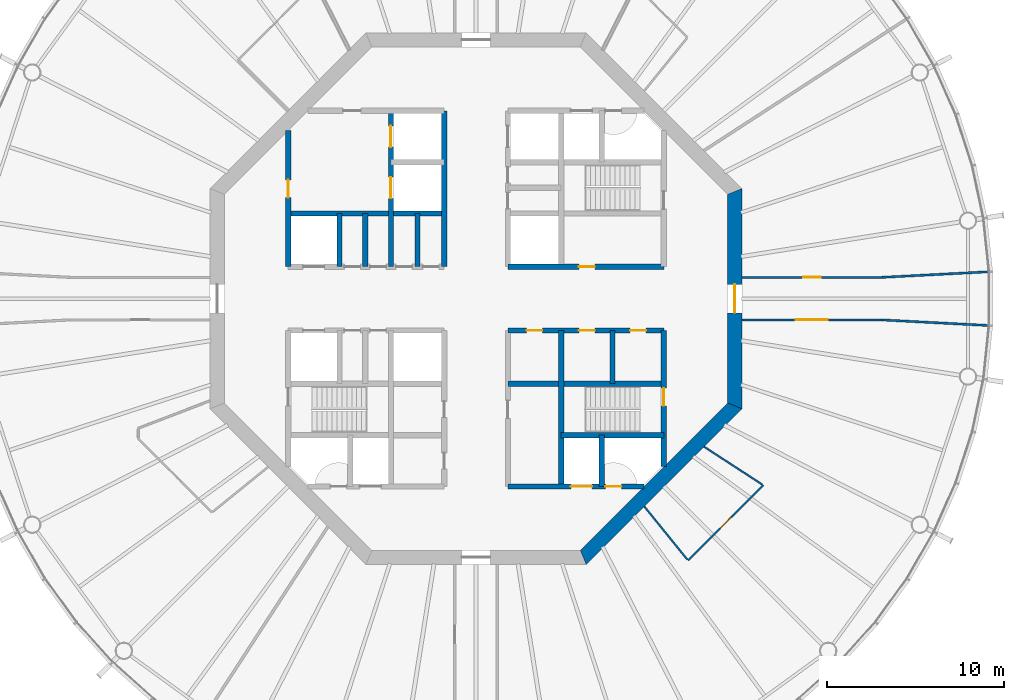
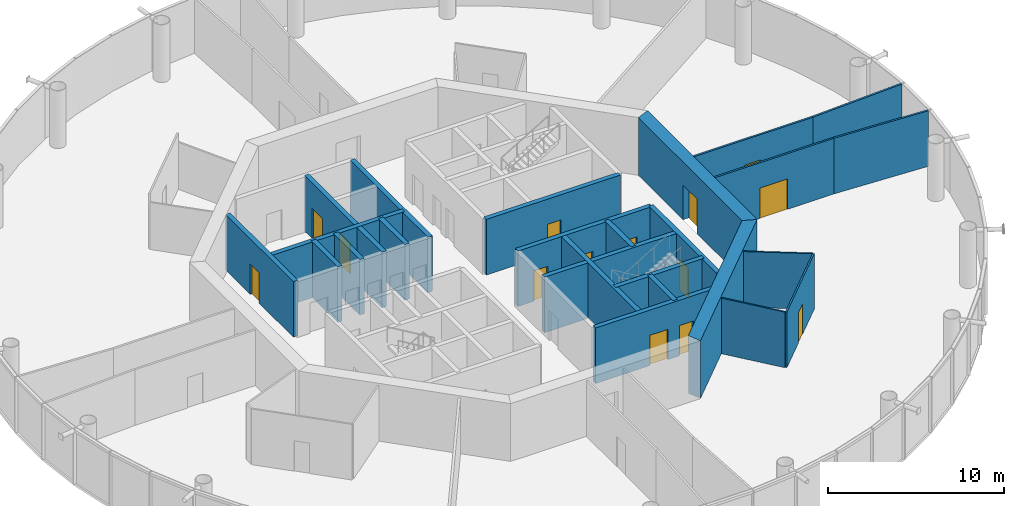
# One storey, part 4 of 17: 25 walls, 14 doors, 14 openings.
"""IFC4 building model written with IfcOpenShell, lengths in metres."""

from ifc_helpers import new_model, si_unit, direction, frame, frame_2d, origin, place, context, subcontext, project, spatial, polyline, rectangle, outline, extrude, material, layer, layer_set, type_object, element, fill, save


model = new_model("IFC4")

# Units and contexts
model_context = context("Model", 3, precision=1e-05, world=origin(), true_north=direction((0.0, 1.0)))
body_context = subcontext(model_context, "Body", "Model", "MODEL_VIEW")
ifc_project = project(units=[si_unit("LENGTHUNIT", "METRE"), si_unit("AREAUNIT", "SQUARE_METRE"), si_unit("VOLUMEUNIT", "CUBIC_METRE"), si_unit("PLANEANGLEUNIT", "RADIAN"), si_unit("MASSUNIT", "GRAM", prefix="KILO")], contexts=[model_context])

# Site, building, storey
site_placement = place(None, origin())
site = spatial("IfcSite", under=ifc_project, at=site_placement, CompositionType="ELEMENT")
building_placement = place(site_placement, origin())
building = spatial("IfcBuilding", under=site, at=building_placement, Name="Entoto Ring Tower", CompositionType="ELEMENT")
storey_placement = place(building_placement, frame((0.0, 0.0, 306.0)))
storey = spatial("IfcBuildingStorey", under=building, at=storey_placement, Name="L70", CompositionType="ELEMENT", Elevation=306.0)

# Wall, opening, door
ifc_material_1 = material(Name="Concrete C40/50", Category="concrete")
ifc_layer_1 = layer(ifc_material_1, 0.300048828125)
ifc_layer_set_1 = layer_set([ifc_layer_1], Name="Concrete C40/50")
wall_type_1 = type_object("IfcWallType", Name="Core enclosure wall 300 mm reinforced concrete", PredefinedType="SOLIDWALL", material=ifc_layer_set_1)
wall_1_placement = place(storey_placement, frame((100.60009765625, 70.518310546875, 0.0), z_axis=(0.0, 0.0, 1.0), x_axis=(0.0, 1.0, 0.0)))
wall_1 = element("IfcWall", 1, at=wall_1_placement, inside=storey, type_object=wall_type_1, Name="wall-L70-001", PredefinedType="SOLIDWALL", context=body_context, shape_type="SweptSolid", body=[
    extrude(rectangle(XDim=7.681640625, YDim=0.300048828125, at=frame_2d((3.8408203125, 0.0))), origin(), (0.0, 0.0, 1.0), 3.85009765625),
])
opening_1_placement = place(wall_1_placement, frame((3.431884765625, 0.0, 0.0)))
opening_1 = element("IfcOpeningElement", 2, at=opening_1_placement, cuts=wall_1, Name="Opening K-28", PredefinedType="OPENING", context=body_context, shape_type="SweptSolid", body=[
    extrude(rectangle(XDim=1.0, YDim=2.10009765625, at=frame_2d((0.5, 1.050048828125))), frame((0.0, 0.16015625, 0.0), z_axis=(0.0, -1.0, 0.0), x_axis=(1.0, 0.0, 0.0)), (0.0, 0.0, 1.0), 0.320068359375),
])
ifc_material_2 = material(Name="Steel door leaf, fire rated", Category="steel")
ifc_layer_2 = layer(ifc_material_2, 0.050048828125)
ifc_layer_set_2 = layer_set([ifc_layer_2], Name="Steel door leaf, fire rated")
door_type_1 = type_object("IfcDoorType", Name="Fire door FD60 1000 x 2100 single leaf", OperationType="NOTDEFINED", PredefinedType="DOOR", material=ifc_layer_set_2)
door_1_placement = place(opening_1_placement, origin())
door_1 = element("IfcDoor", 3, at=door_1_placement, inside=storey, type_object=door_type_1, Name="Door K-28", OperationType="SINGLE_SWING_RIGHT", OverallHeight=2.10009765625, OverallWidth=1.0, PredefinedType="DOOR", context=body_context, shape_type="SweptSolid", body=[
    extrude(rectangle(XDim=1.0, YDim=2.10009765625, at=frame_2d((0.5, 1.050048828125))), frame((0.0, 0.02490234375, 0.0), z_axis=(0.0, -1.0, 0.0), x_axis=(1.0, 0.0, 0.0)), (0.0, 0.0, 1.0), 0.050048828125),
])
fill(opening_1, door_1)

# Walls
wall_2_placement = place(storey_placement, frame((97.699951171875, 75.199951171875, 0.0), z_axis=(0.0, 0.0, 1.0), x_axis=(0.0, 1.0, 0.0)))
element("IfcWall", 4, at=wall_2_placement, inside=storey, type_object=wall_type_1, Name="wall-L70-003", PredefinedType="SOLIDWALL", context=body_context, shape_type="SweptSolid", body=[
    extrude(rectangle(XDim=3.0, YDim=0.300048828125, at=frame_2d((1.5, 0.0))), origin(), (0.0, 0.0, 1.0), 3.85009765625),
])
wall_3_placement = place(storey_placement, frame((97.10009765625, 69.39990234375, 0.0), z_axis=(0.0, 0.0, 1.0), x_axis=(0.0, 1.0, 0.0)))
element("IfcWall", 5, at=wall_3_placement, inside=storey, type_object=wall_type_1, Name="wall-L70-004", PredefinedType="SOLIDWALL", context=body_context, shape_type="SweptSolid", body=[
    extrude(rectangle(XDim=2.900146484375, YDim=0.300048828125, at=frame_2d((1.4501953125, 0.0))), origin(), (0.0, 0.0, 1.0), 3.85009765625),
])
for number, where, z_axis, x_axis, name in (
    (6, (94.800048828125, 69.39990234375, 0.0), (0.0, 0.0, 1.0), (0.0, 1.0, 0.0), "wall-L70-006"),
    (7, (88.199951171875, 81.800048828125, 0.0), (0.0, 0.0, 1.0), (0.0, 1.0, 0.0), "wall-L70-011"),
):
    element("IfcWall", number, at=place(storey_placement, frame(where, z_axis=z_axis, x_axis=x_axis)), inside=storey, type_object=wall_type_1, Name=name, PredefinedType="SOLIDWALL", context=body_context, shape_type="SweptSolid", body=[
        extrude(rectangle(XDim=8.800048828125, YDim=0.300048828125, at=frame_2d((4.39990234375, 0.0))), origin(), (0.0, 0.0, 1.0), 3.85009765625),
    ])
wall_4_placement = place(storey_placement, frame((86.699951171875, 81.800048828125, 0.0), z_axis=(0.0, 0.0, 1.0), x_axis=(0.0, 1.0, 0.0)))
element("IfcWall", 8, at=wall_4_placement, inside=storey, type_object=wall_type_1, Name="wall-L70-012", PredefinedType="SOLIDWALL", context=body_context, shape_type="SweptSolid", body=[
    extrude(rectangle(XDim=3.0, YDim=0.300048828125, at=frame_2d((1.5, 0.0))), origin(), (0.0, 0.0, 1.0), 3.85009765625),
])

# Wall, openings, doors
wall_5_placement = place(storey_placement, frame((85.199951171875, 81.800048828125, 0.0), z_axis=(0.0, 0.0, 1.0), x_axis=(0.0, 1.0, 0.0)))
wall_5 = element("IfcWall", 9, at=wall_5_placement, inside=storey, type_object=wall_type_1, Name="wall-L70-014", PredefinedType="SOLIDWALL", context=body_context, shape_type="SweptSolid", body=[
    extrude(rectangle(XDim=8.800048828125, YDim=0.300048828125, at=frame_2d((4.39990234375, 0.0))), origin(), (0.0, 0.0, 1.0), 3.85009765625),
])
opening_2_placement = place(wall_5_placement, frame((3.85009765625, 0.0, 0.0)))
opening_2 = element("IfcOpeningElement", 10, at=opening_2_placement, cuts=wall_5, Name="Opening LD", PredefinedType="OPENING", context=body_context, shape_type="SweptSolid", body=[
    extrude(rectangle(XDim=1.199951171875, YDim=2.10009765625, at=frame_2d((0.60009765625, 1.050048828125))), frame((0.0, 0.16015625, 0.0), z_axis=(0.0, -1.0, 0.0), x_axis=(1.0, 0.0, 0.0)), (0.0, 0.0, 1.0), 0.320068359375),
])
opening_3_placement = place(wall_5_placement, frame((6.75, 0.0, 0.0)))
opening_3 = element("IfcOpeningElement", 11, at=opening_3_placement, cuts=wall_5, Name="Opening LD", PredefinedType="OPENING", context=body_context, shape_type="SweptSolid", body=[
    extrude(rectangle(XDim=1.199951171875, YDim=2.10009765625, at=frame_2d((0.60009765625, 1.050048828125))), frame((0.0, 0.16015625, 0.0), z_axis=(0.0, -1.0, 0.0), x_axis=(1.0, 0.0, 0.0)), (0.0, 0.0, 1.0), 0.320068359375),
])
ifc_material_3 = material(Name="Steel and glass door leaf", Category="steel")
ifc_layer_3 = layer(ifc_material_3, 0.050048828125)
ifc_layer_set_3 = layer_set([ifc_layer_3], Name="Steel and glass door leaf")
door_type_2 = type_object("IfcDoorType", Name="Landing door 1200 x 2100 sliding", OperationType="DOUBLE_DOOR_SLIDING", PredefinedType="DOOR", material=ifc_layer_set_3)
door_2_placement = place(opening_2_placement, origin())
door_2 = element("IfcDoor", 12, at=door_2_placement, inside=storey, type_object=door_type_2, Name="Landing door FF1", OperationType="SLIDING_TO_RIGHT", OverallHeight=2.10009765625, OverallWidth=1.199951171875, PredefinedType="DOOR", context=body_context, shape_type="SweptSolid", body=[
    extrude(rectangle(XDim=1.199951171875, YDim=2.10009765625, at=frame_2d((0.60009765625, 1.050048828125))), frame((0.0, 0.02490234375, 0.0), z_axis=(0.0, -1.0, 0.0), x_axis=(1.0, 0.0, 0.0)), (0.0, 0.0, 1.0), 0.050048828125),
])
fill(opening_2, door_2)
door_3_placement = place(opening_3_placement, origin())
door_3 = element("IfcDoor", 13, at=door_3_placement, inside=storey, type_object=door_type_2, Name="Landing door FF2", OperationType="SLIDING_TO_RIGHT", OverallHeight=2.10009765625, OverallWidth=1.199951171875, PredefinedType="DOOR", context=body_context, shape_type="SweptSolid", body=[
    extrude(rectangle(XDim=1.199951171875, YDim=2.10009765625, at=frame_2d((0.60009765625, 1.050048828125))), frame((0.0, 0.02490234375, 0.0), z_axis=(0.0, -1.0, 0.0), x_axis=(1.0, 0.0, 0.0)), (0.0, 0.0, 1.0), 0.050048828125),
])
fill(opening_3, door_3)

# Walls
for number, where, z_axis, x_axis, name in (
    (14, (83.75, 81.800048828125, 0.0), (0.0, 0.0, 1.0), (0.0, 1.0, 0.0), "wall-L70-016"),
    (15, (82.300048828125, 81.800048828125, 0.0), (0.0, 0.0, 1.0), (0.0, 1.0, 0.0), "wall-L70-019"),
):
    element("IfcWall", number, at=place(storey_placement, frame(where, z_axis=z_axis, x_axis=x_axis)), inside=storey, type_object=wall_type_1, Name=name, PredefinedType="SOLIDWALL", context=body_context, shape_type="SweptSolid", body=[
        extrude(rectangle(XDim=3.0, YDim=0.300048828125, at=frame_2d((1.5, 0.0))), origin(), (0.0, 0.0, 1.0), 3.85009765625),
    ])

# Wall, opening, door
wall_6_placement = place(storey_placement, frame((79.39990234375, 81.800048828125, 0.0), z_axis=(0.0, 0.0, 1.0), x_axis=(0.0, 1.0, 0.0)))
wall_6 = element("IfcWall", 16, at=wall_6_placement, inside=storey, type_object=wall_type_1, Name="wall-L70-021", PredefinedType="SOLIDWALL", context=body_context, shape_type="SweptSolid", body=[
    extrude(rectangle(XDim=7.681640625, YDim=0.300048828125, at=frame_2d((3.8408203125, 0.0))), origin(), (0.0, 0.0, 1.0), 3.85009765625),
])
opening_4_placement = place(wall_6_placement, frame((3.89990234375, 0.0, 0.0)))
opening_4 = element("IfcOpeningElement", 17, at=opening_4_placement, cuts=wall_6, Name="Opening K-86", PredefinedType="OPENING", context=body_context, shape_type="SweptSolid", body=[
    extrude(rectangle(XDim=1.0, YDim=2.10009765625, at=frame_2d((0.5, 1.050048828125))), frame((0.0, 0.16015625, 0.0), z_axis=(0.0, -1.0, 0.0), x_axis=(1.0, 0.0, 0.0)), (0.0, 0.0, 1.0), 0.320068359375),
])
door_4_placement = place(opening_4_placement, frame((1.0, 0.0, 0.0), z_axis=(0.0, 0.0, 1.0), x_axis=(-1.0, 0.0, 0.0)))
door_4 = element("IfcDoor", 18, at=door_4_placement, inside=storey, type_object=door_type_1, Name="Door K-86", OperationType="SINGLE_SWING_RIGHT", OverallHeight=2.10009765625, OverallWidth=1.0, PredefinedType="DOOR", context=body_context, shape_type="SweptSolid", body=[
    extrude(rectangle(XDim=1.0, YDim=2.10009765625, at=frame_2d((0.5, 1.050048828125))), frame((0.0, 0.02490234375, 0.0), z_axis=(0.0, -1.0, 0.0), x_axis=(1.0, 0.0, 0.0)), (0.0, 0.0, 1.0), 0.050048828125),
])
fill(opening_4, door_4)

# Wall, openings, doors
wall_7_placement = place(storey_placement, frame((91.800048828125, 69.39990234375, 0.0), z_axis=(0.0, 0.0, 1.0), x_axis=(1.0, 0.0, 0.0)))
wall_7 = element("IfcWall", 19, at=wall_7_placement, inside=storey, type_object=wall_type_1, Name="wall-L70-023", PredefinedType="SOLIDWALL", context=body_context, shape_type="SweptSolid", body=[
    extrude(rectangle(XDim=7.681640625, YDim=0.300048828125, at=frame_2d((3.8408203125, 0.0))), origin(), (0.0, 0.0, 1.0), 3.85009765625),
])
opening_5_placement = place(wall_7_placement, frame((3.550048828125, 0.0, 0.0)))
opening_5 = element("IfcOpeningElement", 20, at=opening_5_placement, cuts=wall_7, Name="Opening LD", PredefinedType="OPENING", context=body_context, shape_type="SweptSolid", body=[
    extrude(rectangle(XDim=1.199951171875, YDim=2.10009765625, at=frame_2d((0.60009765625, 1.050048828125))), frame((0.0, 0.16015625, 0.0), z_axis=(0.0, -1.0, 0.0), x_axis=(1.0, 0.0, 0.0)), (0.0, 0.0, 1.0), 0.320068359375),
])
opening_6_placement = place(wall_7_placement, frame((5.5, 0.0, 0.0)))
opening_6 = element("IfcOpeningElement", 21, at=opening_6_placement, cuts=wall_7, Name="Opening K-85", PredefinedType="OPENING", context=body_context, shape_type="SweptSolid", body=[
    extrude(rectangle(XDim=0.89990234375, YDim=2.10009765625, at=frame_2d((0.449951171875, 1.050048828125))), frame((0.0, 0.16015625, 0.0), z_axis=(0.0, -1.0, 0.0), x_axis=(1.0, 0.0, 0.0)), (0.0, 0.0, 1.0), 0.320068359375),
])
door_5_placement = place(opening_5_placement, origin())
door_5 = element("IfcDoor", 22, at=door_5_placement, inside=storey, type_object=door_type_2, Name="Landing door LB2-HR", OperationType="SLIDING_TO_RIGHT", OverallHeight=2.10009765625, OverallWidth=1.199951171875, PredefinedType="DOOR", context=body_context, shape_type="SweptSolid", body=[
    extrude(rectangle(XDim=1.199951171875, YDim=2.10009765625, at=frame_2d((0.60009765625, 1.050048828125))), frame((0.0, 0.02490234375, 0.0), z_axis=(0.0, -1.0, 0.0), x_axis=(1.0, 0.0, 0.0)), (0.0, 0.0, 1.0), 0.050048828125),
])
fill(opening_5, door_5)
ifc_material_4 = material(Name="Steel door leaf, fire rated", Category="steel")
ifc_layer_4 = layer(ifc_material_4, 0.050048828125)
ifc_layer_set_4 = layer_set([ifc_layer_4], Name="Steel door leaf, fire rated")
door_type_3 = type_object("IfcDoorType", Name="Riser door FD60 900 x 2100 single leaf", OperationType="NOTDEFINED", PredefinedType="DOOR", material=ifc_layer_set_4)
door_6_placement = place(opening_6_placement, origin())
door_6 = element("IfcDoor", 23, at=door_6_placement, inside=storey, type_object=door_type_3, Name="Door K-85", OperationType="SINGLE_SWING_LEFT", OverallHeight=2.10009765625, OverallWidth=0.89990234375, PredefinedType="DOOR", context=body_context, shape_type="SweptSolid", body=[
    extrude(rectangle(XDim=0.89990234375, YDim=2.10009765625, at=frame_2d((0.449951171875, 1.050048828125))), frame((0.0, 0.02490234375, 0.0), z_axis=(0.0, -1.0, 0.0), x_axis=(1.0, 0.0, 0.0)), (0.0, 0.0, 1.0), 0.050048828125),
])
fill(opening_6, door_6)

# Walls
wall_8_placement = place(storey_placement, frame((94.800048828125, 72.300048828125, 0.0), z_axis=(0.0, 0.0, 1.0), x_axis=(1.0, 0.0, 0.0)))
element("IfcWall", 24, at=wall_8_placement, inside=storey, type_object=wall_type_1, Name="wall-L70-025", PredefinedType="SOLIDWALL", context=body_context, shape_type="SweptSolid", body=[
    extrude(rectangle(XDim=5.800048828125, YDim=0.300048828125, at=frame_2d((2.89990234375, 0.0))), origin(), (0.0, 0.0, 1.0), 3.85009765625),
])
wall_9_placement = place(storey_placement, frame((91.800048828125, 75.199951171875, 0.0), z_axis=(0.0, 0.0, 1.0), x_axis=(1.0, 0.0, 0.0)))
element("IfcWall", 25, at=wall_9_placement, inside=storey, type_object=wall_type_1, Name="wall-L70-027", PredefinedType="SOLIDWALL", context=body_context, shape_type="SweptSolid", body=[
    extrude(rectangle(XDim=8.800048828125, YDim=0.300048828125, at=frame_2d((4.39990234375, 0.0))), origin(), (0.0, 0.0, 1.0), 3.85009765625),
])

# Wall, openings, doors
wall_10_placement = place(storey_placement, frame((91.800048828125, 78.199951171875, 0.0), z_axis=(0.0, 0.0, 1.0), x_axis=(1.0, 0.0, 0.0)))
wall_10 = element("IfcWall", 26, at=wall_10_placement, inside=storey, type_object=wall_type_1, Name="wall-L70-029", PredefinedType="SOLIDWALL", context=body_context, shape_type="SweptSolid", body=[
    extrude(rectangle(XDim=8.800048828125, YDim=0.300048828125, at=frame_2d((4.39990234375, 0.0))), origin(), (0.0, 0.0, 1.0), 3.85009765625),
])
opening_7_placement = place(wall_10_placement, frame((4.0, 0.0, 0.0)))
opening_7 = element("IfcOpeningElement", 27, at=opening_7_placement, cuts=wall_10, Name="Opening K-14", PredefinedType="OPENING", context=body_context, shape_type="SweptSolid", body=[
    extrude(rectangle(XDim=0.89990234375, YDim=2.10009765625, at=frame_2d((0.449951171875, 1.050048828125))), frame((0.0, 0.16015625, 0.0), z_axis=(0.0, -1.0, 0.0), x_axis=(1.0, 0.0, 0.0)), (0.0, 0.0, 1.0), 0.320068359375),
])
opening_8_placement = place(wall_10_placement, frame((6.89990234375, 0.0, 0.0)))
opening_8 = element("IfcOpeningElement", 28, at=opening_8_placement, cuts=wall_10, Name="Opening K-15", PredefinedType="OPENING", context=body_context, shape_type="SweptSolid", body=[
    extrude(rectangle(XDim=0.89990234375, YDim=2.10009765625, at=frame_2d((0.449951171875, 1.050048828125))), frame((0.0, 0.16015625, 0.0), z_axis=(0.0, -1.0, 0.0), x_axis=(1.0, 0.0, 0.0)), (0.0, 0.0, 1.0), 0.320068359375),
])
opening_9_placement = place(wall_10_placement, frame((1.050048828125, 0.0, 0.0)))
opening_9 = element("IfcOpeningElement", 29, at=opening_9_placement, cuts=wall_10, Name="Opening K-25", PredefinedType="OPENING", context=body_context, shape_type="SweptSolid", body=[
    extrude(rectangle(XDim=0.89990234375, YDim=2.10009765625, at=frame_2d((0.449951171875, 1.050048828125))), frame((0.0, 0.16015625, 0.0), z_axis=(0.0, -1.0, 0.0), x_axis=(1.0, 0.0, 0.0)), (0.0, 0.0, 1.0), 0.320068359375),
])
ifc_material_5 = material(Name="Steel door leaf, fire rated", Category="steel")
ifc_layer_5 = layer(ifc_material_5, 0.050048828125)
ifc_layer_set_5 = layer_set([ifc_layer_5], Name="Steel door leaf, fire rated")
door_type_4 = type_object("IfcDoorType", Name="Core door 900 x 2100 single leaf", OperationType="NOTDEFINED", PredefinedType="DOOR", material=ifc_layer_set_5)
door_7_placement = place(opening_7_placement, frame((0.89990234375, 0.0, 0.0), z_axis=(0.0, 0.0, 1.0), x_axis=(-1.0, 0.0, 0.0)))
door_7 = element("IfcDoor", 30, at=door_7_placement, inside=storey, type_object=door_type_4, Name="Door K-14", OperationType="SINGLE_SWING_RIGHT", OverallHeight=2.10009765625, OverallWidth=0.89990234375, PredefinedType="DOOR", context=body_context, shape_type="SweptSolid", body=[
    extrude(rectangle(XDim=0.89990234375, YDim=2.10009765625, at=frame_2d((0.449951171875, 1.050048828125))), frame((0.0, 0.02490234375, 0.0), z_axis=(0.0, -1.0, 0.0), x_axis=(1.0, 0.0, 0.0)), (0.0, 0.0, 1.0), 0.050048828125),
])
fill(opening_7, door_7)
door_8_placement = place(opening_8_placement, frame((0.89990234375, 0.0, 0.0), z_axis=(0.0, 0.0, 1.0), x_axis=(-1.0, 0.0, 0.0)))
door_8 = element("IfcDoor", 31, at=door_8_placement, inside=storey, type_object=door_type_4, Name="Door K-15", OperationType="SINGLE_SWING_LEFT", OverallHeight=2.10009765625, OverallWidth=0.89990234375, PredefinedType="DOOR", context=body_context, shape_type="SweptSolid", body=[
    extrude(rectangle(XDim=0.89990234375, YDim=2.10009765625, at=frame_2d((0.449951171875, 1.050048828125))), frame((0.0, 0.02490234375, 0.0), z_axis=(0.0, -1.0, 0.0), x_axis=(1.0, 0.0, 0.0)), (0.0, 0.0, 1.0), 0.050048828125),
])
fill(opening_8, door_8)
door_9_placement = place(opening_9_placement, frame((0.89990234375, 0.0, 0.0), z_axis=(0.0, 0.0, 1.0), x_axis=(-1.0, 0.0, 0.0)))
door_9 = element("IfcDoor", 32, at=door_9_placement, inside=storey, type_object=door_type_4, Name="Door K-25", OperationType="SINGLE_SWING_RIGHT", OverallHeight=2.10009765625, OverallWidth=0.89990234375, PredefinedType="DOOR", context=body_context, shape_type="SweptSolid", body=[
    extrude(rectangle(XDim=0.89990234375, YDim=2.10009765625, at=frame_2d((0.449951171875, 1.050048828125))), frame((0.0, 0.02490234375, 0.0), z_axis=(0.0, -1.0, 0.0), x_axis=(1.0, 0.0, 0.0)), (0.0, 0.0, 1.0), 0.050048828125),
])
fill(opening_9, door_9)

# Wall, opening, door
wall_11_placement = place(storey_placement, frame((91.800048828125, 81.800048828125, 0.0), z_axis=(0.0, 0.0, 1.0), x_axis=(1.0, 0.0, 0.0)))
wall_11 = element("IfcWall", 33, at=wall_11_placement, inside=storey, type_object=wall_type_1, Name="wall-L70-031", PredefinedType="SOLIDWALL", context=body_context, shape_type="SweptSolid", body=[
    extrude(rectangle(XDim=8.800048828125, YDim=0.300048828125, at=frame_2d((4.39990234375, 0.0))), origin(), (0.0, 0.0, 1.0), 3.85009765625),
])
opening_10_placement = place(wall_11_placement, frame((4.0, 0.0, 0.0)))
opening_10 = element("IfcOpeningElement", 34, at=opening_10_placement, cuts=wall_11, Name="Opening K-11", PredefinedType="OPENING", context=body_context, shape_type="SweptSolid", body=[
    extrude(rectangle(XDim=0.89990234375, YDim=2.10009765625, at=frame_2d((0.449951171875, 1.050048828125))), frame((0.0, 0.16015625, 0.0), z_axis=(0.0, -1.0, 0.0), x_axis=(1.0, 0.0, 0.0)), (0.0, 0.0, 1.0), 0.320068359375),
])
door_10_placement = place(opening_10_placement, origin())
door_10 = element("IfcDoor", 35, at=door_10_placement, inside=storey, type_object=door_type_4, Name="Door K-11", OperationType="SINGLE_SWING_LEFT", OverallHeight=2.10009765625, OverallWidth=0.89990234375, PredefinedType="DOOR", context=body_context, shape_type="SweptSolid", body=[
    extrude(rectangle(XDim=0.89990234375, YDim=2.10009765625, at=frame_2d((0.449951171875, 1.050048828125))), frame((0.0, 0.02490234375, 0.0), z_axis=(0.0, -1.0, 0.0), x_axis=(1.0, 0.0, 0.0)), (0.0, 0.0, 1.0), 0.050048828125),
])
fill(opening_10, door_10)

# Wall
wall_12_placement = place(storey_placement, frame((79.39990234375, 84.800048828125, 0.0), z_axis=(0.0, 0.0, 1.0), x_axis=(1.0, 0.0, 0.0)))
element("IfcWall", 36, at=wall_12_placement, inside=storey, type_object=wall_type_1, Name="wall-L70-032", PredefinedType="SOLIDWALL", context=body_context, shape_type="SweptSolid", body=[
    extrude(rectangle(XDim=8.800048828125, YDim=0.300048828125, at=frame_2d((4.39990234375, 0.0))), origin(), (0.0, 0.0, 1.0), 3.85009765625),
])

# Wall, opening, door
ifc_material_6 = material(Name="Concrete C40/50", Category="concrete")
ifc_layer_6 = layer(ifc_material_6, 0.800048828125)
ifc_layer_set_6 = layer_set([ifc_layer_6], Name="Concrete C40/50")
wall_type_2 = type_object("IfcWallType", Name="Core shear wall 800 mm reinforced concrete C40/50", PredefinedType="SHEAR", material=ifc_layer_set_6)
wall_13_placement = place(storey_placement, frame((104.60009765625, 73.952392578125, 0.0), z_axis=(0.0, 0.0, 1.0), x_axis=(0.0, 1.0, 0.0)))
wall_13 = element("IfcWall", 37, at=wall_13_placement, inside=storey, type_object=wall_type_2, Name="wall-L70-core-0", PredefinedType="SHEAR", context=body_context, shape_type="SweptSolid", body=[
    extrude(outline(polyline([(-0.165771484375, -0.39990234375), (12.260986328125, -0.39990234375), (11.929443359375, 0.39990234375), (0.165771484375, 0.39990234375), (-0.165771484375, -0.39990234375)])), origin(), (0.0, 0.0, 1.0), 4.0),
])
opening_11_placement = place(wall_13_placement, frame((5.24755859375, 0.0, 0.0)))
opening_11 = element("IfcOpeningElement", 38, at=opening_11_placement, cuts=wall_13, Name="Opening K-01", PredefinedType="OPENING", context=body_context, shape_type="SweptSolid", body=[
    extrude(rectangle(XDim=1.60009765625, YDim=2.39990234375, at=frame_2d((0.800048828125, 1.199951171875))), frame((0.0, 0.41015625, 0.0), z_axis=(0.0, -1.0, 0.0), x_axis=(1.0, 0.0, 0.0)), (0.0, 0.0, 1.0), 0.820068359375),
])
ifc_material_7 = material(Name="Steel door leaf, fire rated", Category="steel")
ifc_layer_7 = layer(ifc_material_7, 0.050048828125)
ifc_layer_set_7 = layer_set([ifc_layer_7], Name="Steel door leaf, fire rated")
door_type_5 = type_object("IfcDoorType", Name="Entrance door FD60 1600 x 2400 double leaf", OperationType="DOUBLE_DOOR_SINGLE_SWING", PredefinedType="DOOR", material=ifc_layer_set_7)
door_11_placement = place(opening_11_placement, origin())
door_11 = element("IfcDoor", 39, at=door_11_placement, inside=storey, type_object=door_type_5, Name="Entrance door K-01", OperationType="DOUBLE_DOOR_SINGLE_SWING", OverallHeight=2.39990234375, OverallWidth=1.60009765625, PredefinedType="DOOR", context=body_context, shape_type="SweptSolid", body=[
    extrude(rectangle(XDim=1.60009765625, YDim=2.39990234375, at=frame_2d((0.800048828125, 1.199951171875))), frame((0.0, 0.02490234375, 0.0), z_axis=(0.0, -1.0, 0.0), x_axis=(1.0, 0.0, 0.0)), (0.0, 0.0, 1.0), 0.050048828125),
])
fill(opening_11, door_11)

# Wall
wall_14_placement = place(storey_placement, frame((96.047607421875, 65.39990234375, 0.0), z_axis=(0.0, 0.0, 1.0), x_axis=(0.707106781187, 0.707106781187, 0.0)))
element("IfcWall", 40, at=wall_14_placement, inside=storey, type_object=wall_type_2, Name="wall-L70-core-7", PredefinedType="SHEAR", context=body_context, shape_type="SweptSolid", body=[
    extrude(outline(polyline([(-0.165771484375, -0.39990234375), (12.2607421875, -0.39990234375), (11.92919921875, 0.39990234375), (0.165771484375, 0.39990234375), (-0.165771484375, -0.39990234375)])), origin(), (0.0, 0.0, 1.0), 4.0),
])

# Wall, opening, door
ifc_material_8 = material(Name="Fire-resisting plasterboard on steel studs", Category="steel")
ifc_layer_8 = layer(ifc_material_8, 0.125)
ifc_layer_set_8 = layer_set([ifc_layer_8], Name="Fire-resisting plasterboard on steel studs")
wall_type_3 = type_object("IfcWallType", Name="Corridor wall 125 mm one-hour plasterboard on steel studs", PredefinedType="PARTITIONING", material=ifc_layer_set_8)
wall_15_placement = place(storey_placement, frame((105.0, 78.800048828125, 0.0), z_axis=(0.0, 0.0, 1.0), x_axis=(1.0, 0.0, 0.0)))
wall_15 = element("IfcWall", 41, at=wall_15_placement, inside=storey, type_object=wall_type_3, Name="partition-L70-007", PredefinedType="PARTITIONING", context=body_context, shape_type="SweptSolid", body=[
    extrude(rectangle(XDim=7.8974609375, YDim=0.125, at=frame_2d((3.94873046875, 0.0))), origin(), (0.0, 0.0, 1.0), 3.85009765625),
])
opening_12_placement = place(wall_15_placement, frame((3.048583984375, 0.0, 0.0)))
opening_12 = element("IfcOpeningElement", 42, at=opening_12_placement, cuts=wall_15, Name="Opening A30-D09", PredefinedType="OPENING", context=body_context, shape_type="SweptSolid", body=[
    extrude(rectangle(XDim=1.800048828125, YDim=2.10009765625, at=frame_2d((0.89990234375, 1.050048828125))), frame((0.0, 0.072509765625, 0.0), z_axis=(0.0, -1.0, 0.0), x_axis=(1.0, 0.0, 0.0)), (0.0, 0.0, 1.0), 0.14501953125),
])
ifc_material_9 = material(Name="Fire-resisting timber door set", Category="wood")
door_type_6 = type_object("IfcDoorType", Name="Door 1800 x 2100 double leaf FD30S fire door", OperationType="DOUBLE_DOOR_SINGLE_SWING", PredefinedType="DOOR", material=ifc_material_9)
door_12_placement = place(opening_12_placement, frame((1.800048828125, 0.0, 0.0), z_axis=(0.0, 0.0, 1.0), x_axis=(-1.0, 0.0, 0.0)))
door_12 = element("IfcDoor", 43, at=door_12_placement, inside=storey, type_object=door_type_6, Name="Door A30-D09", OperationType="DOUBLE_DOOR_SINGLE_SWING", OverallHeight=2.10009765625, OverallWidth=1.800048828125, PredefinedType="DOOR", context=body_context, shape_type="SweptSolid", body=[
    extrude(rectangle(XDim=1.800048828125, YDim=2.10009765625, at=frame_2d((0.89990234375, 1.050048828125))), frame((0.0, 0.02490234375, 0.0), z_axis=(0.0, -1.0, 0.0), x_axis=(1.0, 0.0, 0.0)), (0.0, 0.0, 1.0), 0.050048828125),
])
fill(opening_12, door_12)

wall_16_placement = place(storey_placement, frame((105.0, 81.199951171875, 0.0), z_axis=(0.0, 0.0, 1.0), x_axis=(1.0, 0.0, 0.0)))
wall_16 = element("IfcWall", 44, at=wall_16_placement, inside=storey, type_object=wall_type_3, Name="partition-L70-008", PredefinedType="PARTITIONING", context=body_context, shape_type="SweptSolid", body=[
    extrude(rectangle(XDim=7.8974609375, YDim=0.125, at=frame_2d((3.94873046875, 0.0))), origin(), (0.0, 0.0, 1.0), 3.85009765625),
])
opening_13_placement = place(wall_16_placement, frame((3.44873046875, 0.0, 0.0)))
opening_13 = element("IfcOpeningElement", 45, at=opening_13_placement, cuts=wall_16, Name="Opening A30-D01", PredefinedType="OPENING", context=body_context, shape_type="SweptSolid", body=[
    extrude(rectangle(XDim=1.0, YDim=2.10009765625, at=frame_2d((0.5, 1.050048828125))), frame((0.0, 0.072509765625, 0.0), z_axis=(0.0, -1.0, 0.0), x_axis=(1.0, 0.0, 0.0)), (0.0, 0.0, 1.0), 0.14501953125),
])
ifc_material_10 = material(Name="Fire-resisting timber door set", Category="wood")
door_type_7 = type_object("IfcDoorType", Name="Door 1000 x 2100 single leaf FD30S fire door", OperationType="NOTDEFINED", PredefinedType="DOOR", material=ifc_material_10)
door_13_placement = place(opening_13_placement, origin())
door_13 = element("IfcDoor", 46, at=door_13_placement, inside=storey, type_object=door_type_7, Name="Door A30-D01", OperationType="SINGLE_SWING_LEFT", OverallHeight=2.10009765625, OverallWidth=1.0, PredefinedType="DOOR", context=body_context, shape_type="SweptSolid", body=[
    extrude(rectangle(XDim=1.0, YDim=2.10009765625, at=frame_2d((0.5, 1.050048828125))), frame((0.0, 0.02490234375, 0.0), z_axis=(0.0, -1.0, 0.0), x_axis=(1.0, 0.0, 0.0)), (0.0, 0.0, 1.0), 0.050048828125),
])
fill(opening_13, door_13)

# Walls
for number, where, z_axis, x_axis, name in (
    (47, (112.900634765625, 81.2001953125, 0.0), (0.0, 0.0, 1.0), (0.998629367342, 0.052339150565, 0.0), "partition-L70-015"),
    (48, (118.900390625, 78.4853515625, 0.0), (0.0, 0.0, 1.0), (-0.998629367342, 0.052339150565, 0.0), "partition-L70-016"),
):
    element("IfcWall", number, at=place(storey_placement, frame(where, z_axis=z_axis, x_axis=x_axis)), inside=storey, type_object=wall_type_3, Name=name, PredefinedType="PARTITIONING", context=body_context, shape_type="SweptSolid", body=[
        extrude(rectangle(XDim=6.008056640625, YDim=0.125, at=frame_2d((3.00390625, 0.0))), origin(), (0.0, 0.0, 1.0), 3.85009765625),
    ])

# Wall, opening, door
ifc_material_11 = material(Name="Plasterboard on steel studs", Category="steel")
ifc_layer_9 = layer(ifc_material_11, 0.10009765625)
ifc_layer_set_9 = layer_set([ifc_layer_9], Name="Plasterboard on steel studs")
wall_type_4 = type_object("IfcWallType", Name="Partition 100 mm plasterboard on steel studs", PredefinedType="PARTITIONING", material=ifc_layer_set_9)
wall_17_placement = place(storey_placement, frame((101.959716796875, 65.23095703125, 0.0), z_axis=(0.0, 0.0, 1.0), x_axis=(0.707106781187, 0.707106781187, 0.0)))
wall_17 = element("IfcWall", 49, at=wall_17_placement, inside=storey, type_object=wall_type_4, Name="partition-L70-020", PredefinedType="PARTITIONING", context=body_context, shape_type="SweptSolid", body=[
    extrude(rectangle(XDim=6.00390625, YDim=0.10009765625, at=frame_2d((3.001953125, 0.0))), origin(), (0.0, 0.0, 1.0), 3.85009765625),
])
opening_14_placement = place(wall_17_placement, frame((2.552001953125, 0.0, 0.0)))
opening_14 = element("IfcOpeningElement", 50, at=opening_14_placement, cuts=wall_17, Name="Opening A30-D10", PredefinedType="OPENING", context=body_context, shape_type="SweptSolid", body=[
    extrude(rectangle(XDim=0.89990234375, YDim=2.10009765625, at=frame_2d((0.449951171875, 1.050048828125))), frame((0.0, 0.06005859375, 0.0), z_axis=(0.0, -1.0, 0.0), x_axis=(1.0, 0.0, 0.0)), (0.0, 0.0, 1.0), 0.1201171875),
])
ifc_material_12 = material(Name="Veneered timber door leaf in timber frame", Category="wood")
door_type_8 = type_object("IfcDoorType", Name="Door 900 x 2100 single leaf timber veneer", OperationType="NOTDEFINED", PredefinedType="DOOR", material=ifc_material_12)
door_14_placement = place(opening_14_placement, origin())
door_14 = element("IfcDoor", 51, at=door_14_placement, inside=storey, type_object=door_type_8, Name="Door A30-D10", OperationType="SINGLE_SWING_RIGHT", OverallHeight=2.10009765625, OverallWidth=0.89990234375, PredefinedType="DOOR", context=body_context, shape_type="SweptSolid", body=[
    extrude(rectangle(XDim=0.89990234375, YDim=2.10009765625, at=frame_2d((0.449951171875, 1.050048828125))), frame((0.0, 0.02490234375, 0.0), z_axis=(0.0, -1.0, 0.0), x_axis=(1.0, 0.0, 0.0)), (0.0, 0.0, 1.0), 0.050048828125),
])
fill(opening_14, door_14)

# Walls
wall_18_placement = place(storey_placement, frame((106.1533203125, 69.510009765625, 0.0), z_axis=(0.0, 0.0, 1.0), x_axis=(-0.838677993621, 0.544627600307, 0.0)))
element("IfcWall", 52, at=wall_18_placement, inside=storey, type_object=wall_type_4, Name="partition-L70-028", PredefinedType="PARTITIONING", context=body_context, shape_type="SweptSolid", body=[
    extrude(rectangle(XDim=3.925537109375, YDim=0.10009765625, at=frame_2d((1.962890625, 0.0))), origin(), (0.0, 0.0, 1.0), 3.85009765625),
])
wall_19_placement = place(storey_placement, frame((101.9248046875, 65.274169921875, 0.0), z_axis=(0.0, 0.0, 1.0), x_axis=(-0.629350814118, 0.777121324356, 0.0)))
element("IfcWall", 53, at=wall_19_placement, inside=storey, type_object=wall_type_4, Name="partition-L70-029", PredefinedType="PARTITIONING", context=body_context, shape_type="SweptSolid", body=[
    extrude(rectangle(XDim=3.865966796875, YDim=0.10009765625, at=frame_2d((1.93310546875, 0.0))), origin(), (0.0, 0.0, 1.0), 3.85009765625),
])

save(model, "model.ifc")
